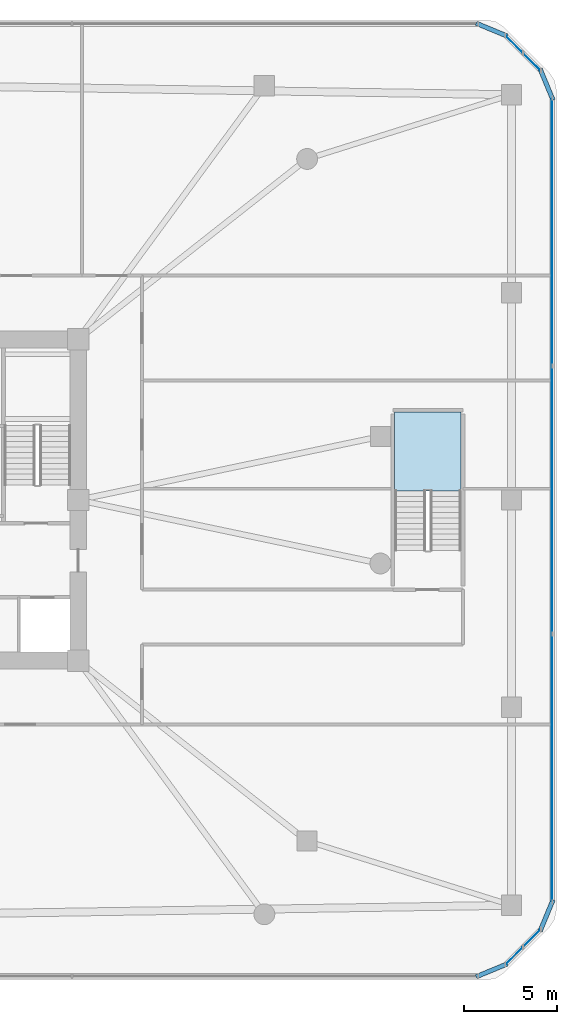
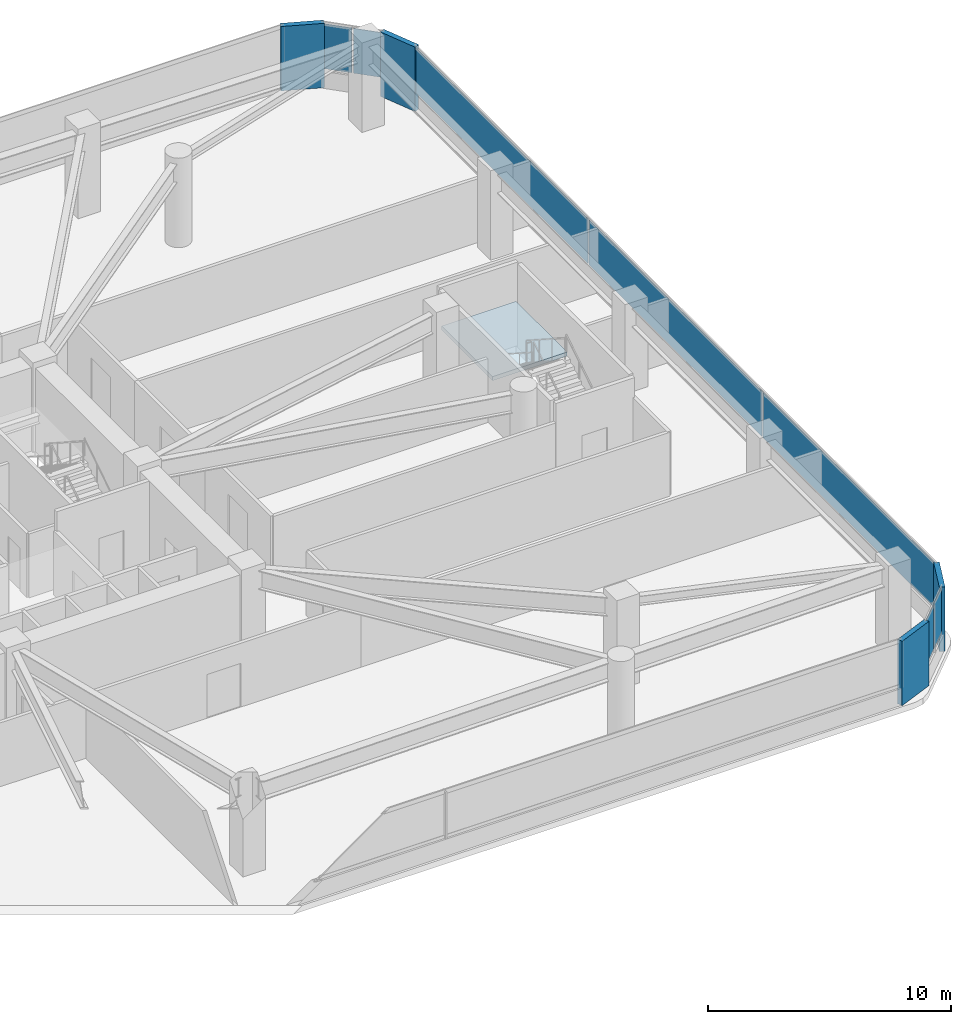
# One storey, part 15 of 21: 11 plates, 1 slab, 4 elements without a shape of their own.
"""IFC4 building model written with IfcOpenShell, lengths in metres."""

import ifcopenshell
import ifcopenshell.guid

model = None  # the IFC model being written
_history = None  # IfcOwnerHistory: only IFC2X3 demands one
_inside = {}  # id of a spatial element -> (the spatial element, [elements in it])
_under = {}  # id of a project, library or spatial element -> (it, [spatial elements below it])
_declared = {}  # id of a project -> (the project, [libraries it declares])
_typed = {}  # id of a type object -> (the type object, [elements of that type])
_made_of = {}  # id of a material, layer set ... -> (it, [elements and type objects made of it])


def new_model(schema):
    """Start an empty IFC model of exactly this schema.

    Asked for "IFC4X3", IfcOpenShell would pick the latest addendum, in which some entities
    have other attributes; the version numbers below select the first issue.
    IFC2X3 requires an IfcOwnerHistory on every rooted entity: one is made here for all.
    """
    global model, _history
    if schema == "IFC4X3":
        model = ifcopenshell.file(schema_version=(4, 3, 0, 0))
    else:
        model = ifcopenshell.file(schema=schema)
    _inside.clear()
    _under.clear()
    _declared.clear()
    _typed.clear()
    _made_of.clear()
    _history = None
    if model.schema == "IFC2X3":
        org = make("IfcOrganization", Name="unknown")
        user = make(
            "IfcPersonAndOrganization",
            ThePerson=make("IfcPerson", FamilyName="unknown"),
            TheOrganization=org,
        )
        app = make(
            "IfcApplication",
            ApplicationDeveloper=org,
            Version="unknown",
            ApplicationFullName="unknown",
            ApplicationIdentifier="unknown",
        )
        _history = make(
            "IfcOwnerHistory",
            OwningUser=user,
            OwningApplication=app,
            ChangeAction="ADDED",
            CreationDate=0,
        )
    return model


def make(cls, **values):
    """One entity of the class cls with the attributes given. An attribute that is None is left unset."""
    return model.create_entity(
        cls, **{name: value for name, value in values.items() if value is not None}
    )


def rooted(cls, **values):
    """An entity with a GlobalId (a new one), such as an element, a storey or a relation."""
    return make(cls, GlobalId=ifcopenshell.guid.new(), OwnerHistory=_history, **values)


def si_unit(unit_type, name, prefix=None):
    """IfcSIUnit, for example si_unit("LENGTHUNIT", "METRE", prefix="MILLI")."""
    return make("IfcSIUnit", UnitType=unit_type, Prefix=prefix, Name=name)


def derived_unit(unit_type, elements):
    """IfcDerivedUnit: a product of units, each with its exponent."""
    return make(
        "IfcDerivedUnit",
        Elements=[
            make("IfcDerivedUnitElement", Unit=unit, Exponent=power)
            for unit, power in elements
        ],
        UnitType=unit_type,
    )


def assignment(units):
    """IfcUnitAssignment: the units of a project."""
    return None if units is None else make("IfcUnitAssignment", Units=units)


def point(xyz):
    """IfcCartesianPoint."""
    return None if xyz is None else make("IfcCartesianPoint", Coordinates=xyz)


def direction(xyz):
    """IfcDirection."""
    return None if xyz is None else make("IfcDirection", DirectionRatios=xyz)


def frame(location, z_axis=None, x_axis=None):
    """IfcAxis2Placement3D, a coordinate frame: its origin and axes. An axis left out is left unset."""
    return make(
        "IfcAxis2Placement3D",
        Location=point(location),
        Axis=direction(z_axis),
        RefDirection=direction(x_axis),
    )


def frame_2d(location, x_axis=None):
    """IfcAxis2Placement2D, a coordinate frame in the plane: its origin and x axis."""
    return make(
        "IfcAxis2Placement2D", Location=point(location), RefDirection=direction(x_axis)
    )


def origin():
    """The frame at (0, 0, 0) with its axes left unset."""
    return frame((0.0, 0.0, 0.0))


def origin_2d():
    """The frame at (0, 0) in the plane with its x axis left unset."""
    return frame_2d((0.0, 0.0))


def place(relative_to, where):
    """IfcLocalPlacement: puts the frame where relative to a parent placement (None: the world)."""
    return make(
        "IfcLocalPlacement", PlacementRelTo=relative_to, RelativePlacement=where
    )


def context(
    kind, dimensions, precision=None, world=None, true_north=None, identifier=None
):
    """IfcGeometricRepresentationContext, for example the 3D "Model" context."""
    return make(
        "IfcGeometricRepresentationContext",
        ContextIdentifier=identifier,
        ContextType=kind,
        CoordinateSpaceDimension=dimensions,
        Precision=precision,
        WorldCoordinateSystem=world,
        TrueNorth=true_north,
    )


def subcontext(parent, identifier, kind, view, scale=None):
    """IfcGeometricRepresentationSubContext, for example "Body" below "Model"."""
    return make(
        "IfcGeometricRepresentationSubContext",
        ContextIdentifier=identifier,
        ContextType=kind,
        ParentContext=parent,
        TargetScale=scale,
        TargetView=view,
    )


def project(units=None, contexts=None):
    """IfcProject with its units and contexts."""
    return rooted(
        "IfcProject",
        Name="project",
        RepresentationContexts=contexts,
        UnitsInContext=assignment(units),
    )


def spatial(cls, under=None, at=None, **own):
    """A site, building, storey or space (cls), placed at a placement, below another one or the project."""
    s = rooted(cls, ObjectPlacement=at, **own)
    if under is not None:
        _under.setdefault(under.id(), (under, []))[1].append(s)
    return s


def polyline(points):
    """IfcPolyline through the points."""
    return make("IfcPolyline", Points=[point(p) for p in points])


def profile(cls, at=None, kind="AREA", **sizes):
    """A parametric profile (cls). Its sizes go by their IFC names, for example OverallWidth=200.0."""
    return make(cls, ProfileType=kind, Position=at, **sizes)


def rectangle(**sizes):
    """IfcRectangleProfileDef."""
    return profile("IfcRectangleProfileDef", **sizes)


def outline(outer, holes=None, kind="AREA"):
    """IfcArbitraryClosedProfileDef: a profile drawn as a closed curve; with holes, ...WithVoids."""
    if holes is None:
        return make("IfcArbitraryClosedProfileDef", ProfileType=kind, OuterCurve=outer)
    return make(
        "IfcArbitraryProfileDefWithVoids",
        ProfileType=kind,
        OuterCurve=outer,
        InnerCurves=holes,
    )


def extrude(swept, where, along, depth):
    """IfcExtrudedAreaSolid: the profile swept, set in the frame where, extruded along a direction by depth."""
    return make(
        "IfcExtrudedAreaSolid",
        SweptArea=swept,
        Position=where,
        ExtrudedDirection=direction(along),
        Depth=depth,
    )


def shape(context_of_items, identifier, shape_type, items):
    """IfcShapeRepresentation: the items that make up one representation, for example the "Body"."""
    return make(
        "IfcShapeRepresentation",
        ContextOfItems=context_of_items,
        RepresentationIdentifier=identifier,
        RepresentationType=shape_type,
        Items=items,
    )


def material(Name=None, Category=None):
    """IfcMaterial."""
    return make("IfcMaterial", Name=Name, Category=Category)


def layer(
    of_material, thickness, ventilated=None, Name=None, Category=None, Priority=None
):
    """IfcMaterialLayer: one layer of a wall or slab, of a material (None: an air gap)."""
    return make(
        "IfcMaterialLayer",
        Material=of_material,
        LayerThickness=thickness,
        IsVentilated=ventilated,
        Name=Name,
        Category=Category,
        Priority=Priority,
    )


def layer_set(layers, Name=None):
    """IfcMaterialLayerSet."""
    return make("IfcMaterialLayerSet", MaterialLayers=layers, LayerSetName=Name)


def made_of(thing, what):
    """Note that an element or type object is made of a material, layer set ...; save() writes the relation."""
    if what is not None:
        _made_of.setdefault(what.id(), (what, []))[1].append(thing)
    return thing


def type_object(cls, material=None, **own):
    """A type object (cls), such as IfcWallType, which elements share."""
    return made_of(rooted(cls, **own), material)


def element(
    cls,
    number,
    at=None,
    inside=None,
    cuts=None,
    type_object=None,
    material=None,
    context=None,
    identifier="Body",
    shape_type=None,
    held_by="IfcProductDefinitionShape",
    body=None,
    shapes=None,
    **own,
):
    """One element of the class cls, such as IfcWall. Its Tag is "e" and its number.

    at: its placement. inside: the storey or other place that contains it. cuts: it is an
    opening in that element (IfcRelVoidsElement). A single representation is given by context,
    identifier, shape_type and body (its items); several are given by shapes. held_by: the class
    of the entity that holds the representations. save() writes the other relations.
    """
    e = rooted(cls, Tag="e%d" % number, ObjectPlacement=at, **own)
    if body is not None:
        shapes = [shape(context, identifier, shape_type, body)]
    if shapes is not None:
        e.Representation = make(held_by, Representations=shapes)
    if inside is not None:
        _inside.setdefault(inside.id(), (inside, []))[1].append(e)
    if cuts is not None:
        rooted(
            "IfcRelVoidsElement", RelatingBuildingElement=cuts, RelatedOpeningElement=e
        )
    if type_object is not None:
        _typed.setdefault(type_object.id(), (type_object, []))[1].append(e)
    return made_of(e, material)


def aggregate(whole, parts):
    """IfcRelAggregates: a whole, such as a stair, and the parts it consists of."""
    return rooted("IfcRelAggregates", RelatingObject=whole, RelatedObjects=parts)


def save(model, path):
    """Write the relations noted so far, then the file.

    IfcRelAggregates (storeys below a building ...), IfcRelContainedInSpatialStructure (elements
    in a storey), IfcRelDefinesByType, IfcRelAssociatesMaterial and IfcRelDeclares: one each for
    every whole, place, type object, material and project.
    """
    for whole, parts in _under.values():
        aggregate(whole, parts)
    for where, things in _inside.values():
        rooted(
            "IfcRelContainedInSpatialStructure",
            RelatedElements=things,
            RelatingStructure=where,
        )
    for kind, things in _typed.values():
        rooted("IfcRelDefinesByType", RelatedObjects=things, RelatingType=kind)
    for what, things in _made_of.values():
        rooted("IfcRelAssociatesMaterial", RelatedObjects=things, RelatingMaterial=what)
    for by, libraries in _declared.values():
        rooted("IfcRelDeclares", RelatingContext=by, RelatedDefinitions=libraries)
    model.write(path)


model = new_model("IFC4")

# Units and contexts
model_context = context("Model", 3, precision=1e-05, world=origin(), true_north=direction((0.0, 1.0)))
body_context = subcontext(model_context, "Body", "Model", "MODEL_VIEW")
ifc_project = project(units=[si_unit("LENGTHUNIT", "METRE"), si_unit("AREAUNIT", "SQUARE_METRE"), si_unit("VOLUMEUNIT", "CUBIC_METRE"), si_unit("PLANEANGLEUNIT", "RADIAN"), si_unit("MASSUNIT", "GRAM", prefix="KILO"), derived_unit("THERMALTRANSMITTANCEUNIT", [(si_unit("POWERUNIT", "WATT"), 1), (si_unit("LENGTHUNIT", "METRE"), -2), (si_unit("THERMODYNAMICTEMPERATUREUNIT", "KELVIN"), -1)])], contexts=[model_context])

# Site, building, storey
site_placement = place(None, origin())
site = spatial("IfcSite", under=ifc_project, at=site_placement, CompositionType="ELEMENT")
building_placement = place(site_placement, origin())
building = spatial("IfcBuilding", under=site, at=building_placement, Name="Koralith Skygarden Medical Center", CompositionType="ELEMENT")
storey_placement = place(building_placement, frame((0.0, 0.0, 14.39990234375)))
storey = spatial("IfcBuildingStorey", under=building, at=storey_placement, Name="L03", CompositionType="ELEMENT", Elevation=14.39990234375)

# Curtain wall, plates
ifc_material_1 = material(Name="Clear Laminated Glass", Category="glass")
curtain_wall_type = type_object("IfcCurtainWallType", Name="CW-1 Transit & Podium Acoustic Curtain Wall", PredefinedType="NOTDEFINED", material=ifc_material_1)
curtain_wall_1_placement = place(storey_placement, origin())
curtain_wall_1 = element("IfcCurtainWall", 1, at=curtain_wall_1_placement, inside=storey, type_object=curtain_wall_type, Name="Curtain Wall CW-L03-SE", PredefinedType="NOTDEFINED")
ifc_layer_1 = layer(ifc_material_1, 0.030029296875)
ifc_layer_set_1 = layer_set([ifc_layer_1], Name="Clear Laminated Glass")
plate_type_1 = type_object("IfcPlateType", Name="CW-1 Hurricane Laminated IGU Panel 30", PredefinedType="CURTAIN_PANEL", material=ifc_layer_set_1)
plate_1_placement = place(storey_placement, frame((71.549072265625, 1.498046875, 0.920166015625), z_axis=(0.0, 0.0, 1.0), x_axis=(0.707106781187, 0.707106781187, 0.0)))
plate_1 = element("IfcPlate", 2, at=plate_1_placement, type_object=plate_type_1, Name="CW-L03-SE Glazed Panel 1", PredefinedType="CURTAIN_PANEL", context=body_context, shape_type="SweptSolid", body=[
    extrude(rectangle(XDim=1.258056640625, YDim=0.030029296875, at=origin_2d()), origin(), (0.0, 0.0, 1.0), 2.25),
])
plate_2_placement = place(storey_placement, frame((72.501953125, 2.450927734375, 0.920166015625), z_axis=(0.0, 0.0, 1.0), x_axis=(0.707106781187, 0.707106781187, 0.0)))
plate_2 = element("IfcPlate", 3, at=plate_2_placement, type_object=plate_type_1, Name="CW-L03-SE Glazed Panel 2", PredefinedType="CURTAIN_PANEL", context=body_context, shape_type="SweptSolid", body=[
    extrude(rectangle(XDim=1.258056640625, YDim=0.030029296875, at=origin_2d()), origin(), (0.0, 0.0, 1.0), 2.25),
])
aggregate(curtain_wall_1, [plate_1, plate_2])

curtain_wall_2_placement = place(storey_placement, origin())
curtain_wall_2 = element("IfcCurtainWall", 4, at=curtain_wall_2_placement, inside=storey, type_object=curtain_wall_type, Name="Curtain Wall CW-L03-E", PredefinedType="NOTDEFINED")
plate_3_placement = place(storey_placement, frame((73.580078125, 11.552978515625, 0.920166015625), z_axis=(0.0, 0.0, 1.0), x_axis=(0.0, 1.0, 0.0)))
plate_3 = element("IfcPlate", 5, at=plate_3_placement, type_object=plate_type_1, Name="CW-L03-E Glazed Panel 1", PredefinedType="CURTAIN_PANEL", context=body_context, shape_type="SweptSolid", body=[
    extrude(rectangle(XDim=14.257080078125, YDim=0.030029296875, at=origin_2d()), origin(), (0.0, 0.0, 1.0), 2.25),
])
plate_4_placement = place(storey_placement, frame((73.580078125, 25.89990234375, 0.920166015625), z_axis=(0.0, 0.0, 1.0), x_axis=(0.0, 1.0, 0.0)))
plate_4 = element("IfcPlate", 6, at=plate_4_placement, type_object=plate_type_1, Name="CW-L03-E Glazed Panel 2", PredefinedType="CURTAIN_PANEL", context=body_context, shape_type="SweptSolid", body=[
    extrude(rectangle(XDim=14.257080078125, YDim=0.030029296875, at=origin_2d()), origin(), (0.0, 0.0, 1.0), 2.25),
])
plate_5_placement = place(storey_placement, frame((73.580078125, 40.2470703125, 0.920166015625), z_axis=(0.0, 0.0, 1.0), x_axis=(0.0, 1.0, 0.0)))
plate_5 = element("IfcPlate", 7, at=plate_5_placement, type_object=plate_type_1, Name="CW-L03-E Glazed Panel 3", PredefinedType="CURTAIN_PANEL", context=body_context, shape_type="SweptSolid", body=[
    extrude(rectangle(XDim=14.257080078125, YDim=0.030029296875, at=origin_2d()), origin(), (0.0, 0.0, 1.0), 2.25),
])
aggregate(curtain_wall_2, [plate_3, plate_4, plate_5])

curtain_wall_3_placement = place(storey_placement, origin())
curtain_wall_3 = element("IfcCurtainWall", 8, at=curtain_wall_3_placement, inside=storey, type_object=curtain_wall_type, Name="Curtain Wall CW-L03-NE", PredefinedType="NOTDEFINED")
plate_6_placement = place(storey_placement, frame((72.501953125, 49.34912109375, 0.920166015625), z_axis=(0.0, 0.0, 1.0), x_axis=(-0.707106781187, 0.707106781187, 0.0)))
plate_6 = element("IfcPlate", 9, at=plate_6_placement, type_object=plate_type_1, Name="CW-L03-NE Glazed Panel 1", PredefinedType="CURTAIN_PANEL", context=body_context, shape_type="SweptSolid", body=[
    extrude(rectangle(XDim=1.258056640625, YDim=0.030029296875, at=origin_2d()), origin(), (0.0, 0.0, 1.0), 2.25),
])
plate_7_placement = place(storey_placement, frame((71.549072265625, 50.302001953125, 0.920166015625), z_axis=(0.0, 0.0, 1.0), x_axis=(-0.707106781187, 0.707106781187, 0.0)))
plate_7 = element("IfcPlate", 10, at=plate_7_placement, type_object=plate_type_1, Name="CW-L03-NE Glazed Panel 2", PredefinedType="CURTAIN_PANEL", context=body_context, shape_type="SweptSolid", body=[
    extrude(rectangle(XDim=1.258056640625, YDim=0.030029296875, at=origin_2d()), origin(), (0.0, 0.0, 1.0), 2.25),
])
aggregate(curtain_wall_3, [plate_6, plate_7])

# Stair, slab
ifc_material_2 = material(Name="Concrete C45/55", Category="concrete")
stair_type = type_object("IfcStairType", Name="Core Exit Dogleg Concrete Stair", PredefinedType="HALF_TURN_STAIR", material=ifc_material_2)
stair_placement = place(storey_placement, origin())
stair = element("IfcStair", 11, at=stair_placement, inside=storey, type_object=stair_type, Name="L03 Podium Smokeproof Exit Stair ST5", PredefinedType="HALF_TURN_STAIR")
ifc_layer_2 = layer(ifc_material_2, 0.199951171875)
ifc_layer_set_2 = layer_set([ifc_layer_2], Name="Concrete C45/55")
slab_type = type_object("IfcSlabType", Name="Core Exit Concrete Stair Landing 200", PredefinedType="LANDING", material=ifc_layer_set_2)
slab_placement = place(storey_placement, frame((0.0, 0.0, 2.050048828125)))
slab = element("IfcSlab", 12, at=slab_placement, type_object=slab_type, Name="ST5 landing 1", PredefinedType="LANDING", context=body_context, shape_type="SweptSolid", body=[
    extrude(outline(polyline([(68.699951171875, 26.389892578125), (68.699951171875, 30.60009765625), (65.14990234375, 30.60009765625), (65.14990234375, 26.389892578125), (68.699951171875, 26.389892578125)])), origin(), (0.0, 0.0, 1.0), 0.199951171875),
])
aggregate(stair, [slab])

# Plates
ifc_material_3 = material(Name="Warm Oolitic Limestone Cladding", Category="masonry")
ifc_layer_3 = layer(ifc_material_3, 0.239990234375)
ifc_layer_set_3 = layer_set([ifc_layer_3], Name="Warm Oolitic Limestone Cladding")
plate_type_2 = type_object("IfcPlateType", Name="Rounded-Corner Oolitic Limestone Cladding Panel 240", PredefinedType="USERDEFINED", material=ifc_layer_set_3)
for number, where, z_axis, x_axis, name in (
    (13, (70.345947265625, 0.719970703125, 0.0), (0.0, 0.0, 1.0), (0.92388487569, 0.382670532536, 0.0), "L03 Rounded-Corner Limestone Pier 1"),
    (14, (73.279052734375, 3.653076171875, 0.0), (0.0, 0.0, 1.0), (0.382670532536, 0.92388487569, 0.0), "L03 Rounded-Corner Limestone Pier 2"),
    (15, (73.279052734375, 48.14697265625, 0.0), (0.0, 0.0, 1.0), (-0.382670532536, 0.92388487569, 0.0), "L03 Rounded-Corner Limestone Pier 3"),
    (16, (70.345947265625, 51.080078125, 0.0), (0.0, 0.0, 1.0), (-0.92388487569, 0.382670532536, 0.0), "L03 Rounded-Corner Limestone Pier 4"),
):
    element("IfcPlate", number, at=place(storey_placement, frame(where, z_axis=z_axis, x_axis=x_axis)), inside=storey, type_object=plate_type_2, Name=name, ObjectType="LIMESTONE CLADDING", PredefinedType="USERDEFINED", context=body_context, shape_type="SweptSolid", body=[
        extrude(rectangle(XDim=1.81103515625, YDim=0.239990234375, at=origin_2d()), origin(), (0.0, 0.0, 1.0), 3.239990234375),
    ])

save(model, "model.ifc")
